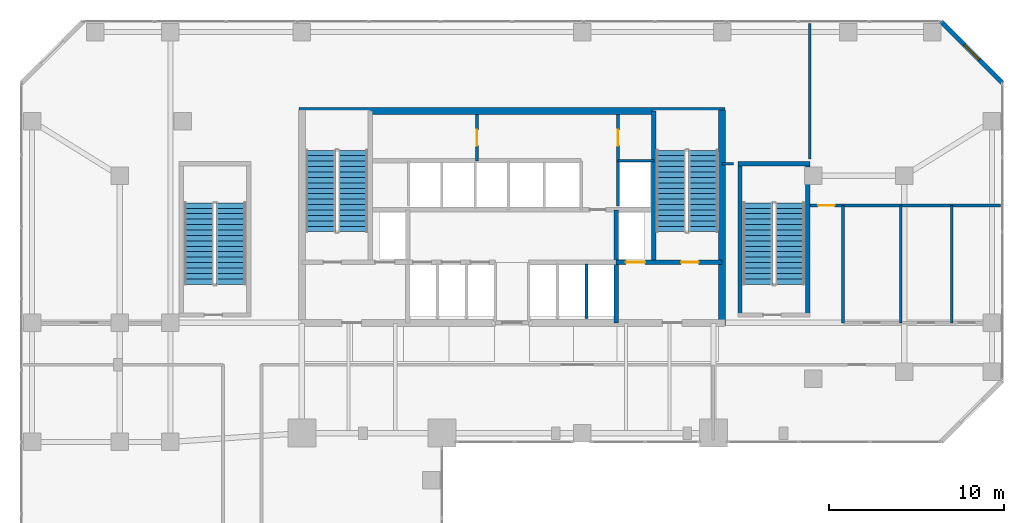
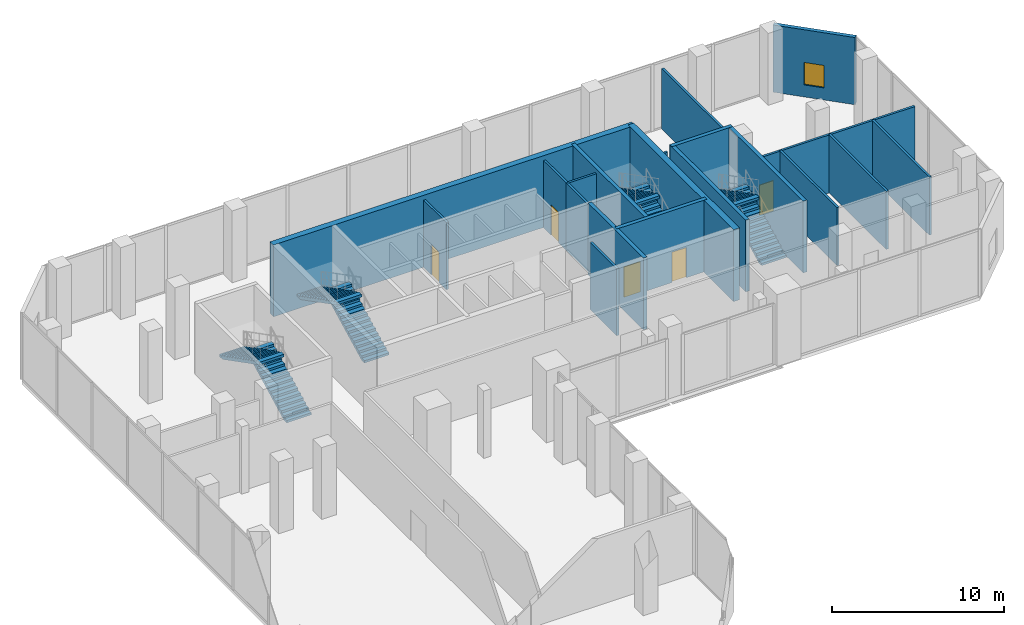
# One storey, part 22 of 24: 20 walls, 8 stair flights, 5 doors, 1 window, 6 openings, 4 elements without a shape of their own.
"""IFC4 building model written with IfcOpenShell, lengths in metres."""

import ifcopenshell
import ifcopenshell.guid

model = None  # the IFC model being written
_history = None  # IfcOwnerHistory: only IFC2X3 demands one
_inside = {}  # id of a spatial element -> (the spatial element, [elements in it])
_under = {}  # id of a project, library or spatial element -> (it, [spatial elements below it])
_declared = {}  # id of a project -> (the project, [libraries it declares])
_typed = {}  # id of a type object -> (the type object, [elements of that type])
_made_of = {}  # id of a material, layer set ... -> (it, [elements and type objects made of it])


def new_model(schema):
    """Start an empty IFC model of exactly this schema.

    Asked for "IFC4X3", IfcOpenShell would pick the latest addendum, in which some entities
    have other attributes; the version numbers below select the first issue.
    IFC2X3 requires an IfcOwnerHistory on every rooted entity: one is made here for all.
    """
    global model, _history
    if schema == "IFC4X3":
        model = ifcopenshell.file(schema_version=(4, 3, 0, 0))
    else:
        model = ifcopenshell.file(schema=schema)
    _inside.clear()
    _under.clear()
    _declared.clear()
    _typed.clear()
    _made_of.clear()
    _history = None
    if model.schema == "IFC2X3":
        org = make("IfcOrganization", Name="unknown")
        user = make(
            "IfcPersonAndOrganization",
            ThePerson=make("IfcPerson", FamilyName="unknown"),
            TheOrganization=org,
        )
        app = make(
            "IfcApplication",
            ApplicationDeveloper=org,
            Version="unknown",
            ApplicationFullName="unknown",
            ApplicationIdentifier="unknown",
        )
        _history = make(
            "IfcOwnerHistory",
            OwningUser=user,
            OwningApplication=app,
            ChangeAction="ADDED",
            CreationDate=0,
        )
    return model


def make(cls, **values):
    """One entity of the class cls with the attributes given. An attribute that is None is left unset."""
    return model.create_entity(
        cls, **{name: value for name, value in values.items() if value is not None}
    )


def rooted(cls, **values):
    """An entity with a GlobalId (a new one), such as an element, a storey or a relation."""
    return make(cls, GlobalId=ifcopenshell.guid.new(), OwnerHistory=_history, **values)


def si_unit(unit_type, name, prefix=None):
    """IfcSIUnit, for example si_unit("LENGTHUNIT", "METRE", prefix="MILLI")."""
    return make("IfcSIUnit", UnitType=unit_type, Prefix=prefix, Name=name)


def assignment(units):
    """IfcUnitAssignment: the units of a project."""
    return None if units is None else make("IfcUnitAssignment", Units=units)


def point(xyz):
    """IfcCartesianPoint."""
    return None if xyz is None else make("IfcCartesianPoint", Coordinates=xyz)


def direction(xyz):
    """IfcDirection."""
    return None if xyz is None else make("IfcDirection", DirectionRatios=xyz)


def frame(location, z_axis=None, x_axis=None):
    """IfcAxis2Placement3D, a coordinate frame: its origin and axes. An axis left out is left unset."""
    return make(
        "IfcAxis2Placement3D",
        Location=point(location),
        Axis=direction(z_axis),
        RefDirection=direction(x_axis),
    )


def frame_2d(location, x_axis=None):
    """IfcAxis2Placement2D, a coordinate frame in the plane: its origin and x axis."""
    return make(
        "IfcAxis2Placement2D", Location=point(location), RefDirection=direction(x_axis)
    )


def origin():
    """The frame at (0, 0, 0) with its axes left unset."""
    return frame((0.0, 0.0, 0.0))


def place(relative_to, where):
    """IfcLocalPlacement: puts the frame where relative to a parent placement (None: the world)."""
    return make(
        "IfcLocalPlacement", PlacementRelTo=relative_to, RelativePlacement=where
    )


def context(
    kind, dimensions, precision=None, world=None, true_north=None, identifier=None
):
    """IfcGeometricRepresentationContext, for example the 3D "Model" context."""
    return make(
        "IfcGeometricRepresentationContext",
        ContextIdentifier=identifier,
        ContextType=kind,
        CoordinateSpaceDimension=dimensions,
        Precision=precision,
        WorldCoordinateSystem=world,
        TrueNorth=true_north,
    )


def subcontext(parent, identifier, kind, view, scale=None):
    """IfcGeometricRepresentationSubContext, for example "Body" below "Model"."""
    return make(
        "IfcGeometricRepresentationSubContext",
        ContextIdentifier=identifier,
        ContextType=kind,
        ParentContext=parent,
        TargetScale=scale,
        TargetView=view,
    )


def project(units=None, contexts=None):
    """IfcProject with its units and contexts."""
    return rooted(
        "IfcProject",
        Name="project",
        RepresentationContexts=contexts,
        UnitsInContext=assignment(units),
    )


def spatial(cls, under=None, at=None, **own):
    """A site, building, storey or space (cls), placed at a placement, below another one or the project."""
    s = rooted(cls, ObjectPlacement=at, **own)
    if under is not None:
        _under.setdefault(under.id(), (under, []))[1].append(s)
    return s


def polyline(points):
    """IfcPolyline through the points."""
    return make("IfcPolyline", Points=[point(p) for p in points])


def profile(cls, at=None, kind="AREA", **sizes):
    """A parametric profile (cls). Its sizes go by their IFC names, for example OverallWidth=200.0."""
    return make(cls, ProfileType=kind, Position=at, **sizes)


def rectangle(**sizes):
    """IfcRectangleProfileDef."""
    return profile("IfcRectangleProfileDef", **sizes)


def outline(outer, holes=None, kind="AREA"):
    """IfcArbitraryClosedProfileDef: a profile drawn as a closed curve; with holes, ...WithVoids."""
    if holes is None:
        return make("IfcArbitraryClosedProfileDef", ProfileType=kind, OuterCurve=outer)
    return make(
        "IfcArbitraryProfileDefWithVoids",
        ProfileType=kind,
        OuterCurve=outer,
        InnerCurves=holes,
    )


def extrude(swept, where, along, depth):
    """IfcExtrudedAreaSolid: the profile swept, set in the frame where, extruded along a direction by depth."""
    return make(
        "IfcExtrudedAreaSolid",
        SweptArea=swept,
        Position=where,
        ExtrudedDirection=direction(along),
        Depth=depth,
    )


def shape(context_of_items, identifier, shape_type, items):
    """IfcShapeRepresentation: the items that make up one representation, for example the "Body"."""
    return make(
        "IfcShapeRepresentation",
        ContextOfItems=context_of_items,
        RepresentationIdentifier=identifier,
        RepresentationType=shape_type,
        Items=items,
    )


def material(Name=None, Category=None):
    """IfcMaterial."""
    return make("IfcMaterial", Name=Name, Category=Category)


def layer(
    of_material, thickness, ventilated=None, Name=None, Category=None, Priority=None
):
    """IfcMaterialLayer: one layer of a wall or slab, of a material (None: an air gap)."""
    return make(
        "IfcMaterialLayer",
        Material=of_material,
        LayerThickness=thickness,
        IsVentilated=ventilated,
        Name=Name,
        Category=Category,
        Priority=Priority,
    )


def layer_set(layers, Name=None):
    """IfcMaterialLayerSet."""
    return make("IfcMaterialLayerSet", MaterialLayers=layers, LayerSetName=Name)


def made_of(thing, what):
    """Note that an element or type object is made of a material, layer set ...; save() writes the relation."""
    if what is not None:
        _made_of.setdefault(what.id(), (what, []))[1].append(thing)
    return thing


def type_object(cls, material=None, **own):
    """A type object (cls), such as IfcWallType, which elements share."""
    return made_of(rooted(cls, **own), material)


def element(
    cls,
    number,
    at=None,
    inside=None,
    cuts=None,
    type_object=None,
    material=None,
    context=None,
    identifier="Body",
    shape_type=None,
    held_by="IfcProductDefinitionShape",
    body=None,
    shapes=None,
    **own,
):
    """One element of the class cls, such as IfcWall. Its Tag is "e" and its number.

    at: its placement. inside: the storey or other place that contains it. cuts: it is an
    opening in that element (IfcRelVoidsElement). A single representation is given by context,
    identifier, shape_type and body (its items); several are given by shapes. held_by: the class
    of the entity that holds the representations. save() writes the other relations.
    """
    e = rooted(cls, Tag="e%d" % number, ObjectPlacement=at, **own)
    if body is not None:
        shapes = [shape(context, identifier, shape_type, body)]
    if shapes is not None:
        e.Representation = make(held_by, Representations=shapes)
    if inside is not None:
        _inside.setdefault(inside.id(), (inside, []))[1].append(e)
    if cuts is not None:
        rooted(
            "IfcRelVoidsElement", RelatingBuildingElement=cuts, RelatedOpeningElement=e
        )
    if type_object is not None:
        _typed.setdefault(type_object.id(), (type_object, []))[1].append(e)
    return made_of(e, material)


def fill(opening, filler):
    """IfcRelFillsElement: the door or window that sits in an opening."""
    return rooted(
        "IfcRelFillsElement",
        RelatingOpeningElement=opening,
        RelatedBuildingElement=filler,
    )


def aggregate(whole, parts):
    """IfcRelAggregates: a whole, such as a stair, and the parts it consists of."""
    return rooted("IfcRelAggregates", RelatingObject=whole, RelatedObjects=parts)


def save(model, path):
    """Write the relations noted so far, then the file.

    IfcRelAggregates (storeys below a building ...), IfcRelContainedInSpatialStructure (elements
    in a storey), IfcRelDefinesByType, IfcRelAssociatesMaterial and IfcRelDeclares: one each for
    every whole, place, type object, material and project.
    """
    for whole, parts in _under.values():
        aggregate(whole, parts)
    for where, things in _inside.values():
        rooted(
            "IfcRelContainedInSpatialStructure",
            RelatedElements=things,
            RelatingStructure=where,
        )
    for kind, things in _typed.values():
        rooted("IfcRelDefinesByType", RelatedObjects=things, RelatingType=kind)
    for what, things in _made_of.values():
        rooted("IfcRelAssociatesMaterial", RelatedObjects=things, RelatingMaterial=what)
    for by, libraries in _declared.values():
        rooted("IfcRelDeclares", RelatingContext=by, RelatedDefinitions=libraries)
    model.write(path)


model = new_model("IFC4")

# Units and contexts
model_context = context("Model", 3, precision=1e-05, world=origin(), true_north=direction((0.0, 1.0)))
body_context = subcontext(model_context, "Body", "Model", "MODEL_VIEW")
ifc_project = project(units=[si_unit("LENGTHUNIT", "METRE"), si_unit("AREAUNIT", "SQUARE_METRE"), si_unit("VOLUMEUNIT", "CUBIC_METRE"), si_unit("PLANEANGLEUNIT", "RADIAN"), si_unit("MASSUNIT", "GRAM", prefix="KILO")], contexts=[model_context])

# Site, building, storey
site_placement = place(None, origin())
site = spatial("IfcSite", under=ifc_project, at=site_placement, CompositionType="ELEMENT")
building_placement = place(site_placement, origin())
building = spatial("IfcBuilding", under=site, at=building_placement, Name="Catumbela Crestline Tower", CompositionType="ELEMENT")
storey_placement = place(building_placement, frame((0.0, 0.0, 6.0)))
storey = spatial("IfcBuildingStorey", under=building, at=storey_placement, Name="L01", CompositionType="ELEMENT", Elevation=6.0)

# Walls
ifc_material_1 = material(Name="Concrete C50/60", Category="concrete")
ifc_layer_1 = layer(ifc_material_1, 0.25, Name="Concrete C50/60")
ifc_layer_set_1 = layer_set([ifc_layer_1], Name="Concrete C50/60")
wall_type_1 = type_object("IfcWallType", Name="CW-250D", PredefinedType="SHEAR", material=ifc_layer_set_1)
wall_1_placement = place(storey_placement, frame((36.1, 34.25, 0.0), z_axis=(0.0, 0.0, 1.0), x_axis=(0.0, 1.0, 0.0)))
element("IfcWall", 1, at=wall_1_placement, inside=storey, type_object=wall_type_1, Name="L01 Structural Core Shear Wall EWEB", PredefinedType="SHEAR", context=body_context, shape_type="SweptSolid", body=[
    extrude(rectangle(XDim=8.65, YDim=0.25, at=frame_2d((4.325, 0.0))), origin(), (0.0, 0.0, 1.0), 5.1),
])
wall_2_placement = place(storey_placement, frame((33.95, 30.8, 0.0), z_axis=(0.0, 0.0, 1.0), x_axis=(0.0, 1.0, 0.0)))
element("IfcWall", 2, at=wall_2_placement, inside=storey, type_object=wall_type_1, Name="L01 Structural Core Shear Wall FFE", PredefinedType="SHEAR", context=body_context, shape_type="SweptSolid", body=[
    extrude(rectangle(XDim=6.45, YDim=0.25, at=frame_2d((3.225, 0.0))), origin(), (0.0, 0.0, 1.0), 5.1),
])

# Wall, openings, doors
wall_3_placement = place(storey_placement, frame((33.95, 34.25, 0.0), z_axis=(0.0, 0.0, 1.0), x_axis=(1.0, 0.0, 0.0)))
wall_3 = element("IfcWall", 3, at=wall_3_placement, inside=storey, type_object=wall_type_1, Name="L01 Structural Core Shear Wall ST2S", PredefinedType="SHEAR", context=body_context, shape_type="SweptSolid", body=[
    extrude(rectangle(XDim=6.05, YDim=0.25, at=frame_2d((3.025, 0.0))), origin(), (0.0, 0.0, 1.0), 5.1),
])
opening_1_placement = place(wall_3_placement, frame((3.7, 0.0, 0.0)))
opening_1 = element("IfcOpeningElement", 4, at=opening_1_placement, cuts=wall_3, Name="Opening DF9-100", PredefinedType="OPENING", context=body_context, shape_type="SweptSolid", body=[
    extrude(rectangle(XDim=1.0, YDim=2.15, at=frame_2d((0.5, 1.075))), frame((0.0, 0.135, 0.0), z_axis=(0.0, -1.0, 0.0), x_axis=(1.0, 0.0, 0.0)), (0.0, 0.0, 1.0), 0.27),
])
opening_2_placement = place(wall_3_placement, frame((0.55, 0.0, 0.0)))
opening_2 = element("IfcOpeningElement", 5, at=opening_2_placement, cuts=wall_3, Name="Opening LD-110", PredefinedType="OPENING", context=body_context, shape_type="SweptSolid", body=[
    extrude(rectangle(XDim=1.1, YDim=2.15, at=frame_2d((0.55, 1.075))), frame((0.0, 0.135, 0.0), z_axis=(0.0, -1.0, 0.0), x_axis=(1.0, 0.0, 0.0)), (0.0, 0.0, 1.0), 0.27),
])
ifc_material_2 = material(Name="Stainless steel EN 1.4401", Category="steel")
door_type_1 = type_object("IfcDoorType", Name="DF9-100", OperationType="NOTDEFINED", PredefinedType="DOOR", material=ifc_material_2)
door_1_placement = place(opening_1_placement, origin())
door_1 = element("IfcDoor", 6, at=door_1_placement, inside=storey, type_object=door_type_1, Name="L01 Interior Door DR-L01-ST02", OperationType="SINGLE_SWING_RIGHT", OverallHeight=2.15, OverallWidth=1.0, PredefinedType="DOOR", context=body_context, shape_type="SweptSolid", body=[
    extrude(rectangle(XDim=1.0, YDim=2.15, at=frame_2d((0.5, 1.075))), frame((0.0, 0.025, 0.0), z_axis=(0.0, -1.0, 0.0), x_axis=(1.0, 0.0, 0.0)), (0.0, 0.0, 1.0), 0.05),
])
fill(opening_1, door_1)
door_type_2 = type_object("IfcDoorType", Name="LD-110", OperationType="NOTDEFINED", PredefinedType="DOOR", material=ifc_material_2)
door_2_placement = place(opening_2_placement, origin())
door_2 = element("IfcDoor", 7, at=door_2_placement, inside=storey, type_object=door_type_2, Name="L01 Lift Landing Sliding Door FL-02", OperationType="DOUBLE_DOOR_SLIDING", OverallHeight=2.15, OverallWidth=1.1, PredefinedType="DOOR", context=body_context, shape_type="SweptSolid", body=[
    extrude(rectangle(XDim=1.1, YDim=2.15, at=frame_2d((0.55, 1.075))), frame((0.0, 0.025, 0.0), z_axis=(0.0, -1.0, 0.0), x_axis=(1.0, 0.0, 0.0)), (0.0, 0.0, 1.0), 0.05),
])
fill(opening_2, door_2)

# Walls
for number, where, z_axis, x_axis, name in (
    (8, (41.02, 31.15, 0.0), (0.0, 0.0, 1.0), (0.0, 1.0, 0.0), "L01 Structural Core Shear Wall ST4W"),
    (9, (44.88, 31.15, 0.0), (0.0, 0.0, 1.0), (0.0, 1.0, 0.0), "L01 Structural Core Shear Wall ST4E"),
):
    element("IfcWall", number, at=place(storey_placement, frame(where, z_axis=z_axis, x_axis=x_axis)), inside=storey, type_object=wall_type_1, Name=name, PredefinedType="SHEAR", context=body_context, shape_type="SweptSolid", body=[
        extrude(rectangle(XDim=8.8, YDim=0.25, at=frame_2d((4.4, 0.0))), origin(), (0.0, 0.0, 1.0), 5.1),
    ])
wall_4_placement = place(storey_placement, frame((40.9, 39.88, 0.0), z_axis=(0.0, 0.0, 1.0), x_axis=(1.0, 0.0, 0.0)))
element("IfcWall", 10, at=wall_4_placement, inside=storey, type_object=wall_type_1, Name="L01 Structural Core Shear Wall ST4N", PredefinedType="SHEAR", context=body_context, shape_type="SweptSolid", body=[
    extrude(rectangle(XDim=4.1, YDim=0.25, at=frame_2d((2.05, 0.0))), origin(), (0.0, 0.0, 1.0), 5.1),
])
ifc_material_3 = material(Name="Concrete C60/75", Category="concrete")
ifc_layer_2 = layer(ifc_material_3, 0.4, Name="Concrete C60/75")
ifc_layer_set_2 = layer_set([ifc_layer_2], Name="Concrete C60/75")
wall_type_2 = type_object("IfcWallType", Name="CW-400A", PredefinedType="SHEAR", material=ifc_layer_set_2)
wall_5_placement = place(storey_placement, frame((40.0, 30.65, 0.0), z_axis=(0.0, 0.0, 1.0), x_axis=(0.0, 1.0, 0.0)))
element("IfcWall", 11, at=wall_5_placement, inside=storey, type_object=wall_type_2, Name="L01 Structural Core Shear Wall E", PredefinedType="SHEAR", context=body_context, shape_type="SweptSolid", body=[
    extrude(rectangle(XDim=12.3, YDim=0.4, at=frame_2d((6.15, 0.0))), origin(), (0.0, 0.0, 1.0), 5.1),
])
wall_6_placement = place(storey_placement, frame((15.85, 42.9, 0.0), z_axis=(0.0, 0.0, 1.0), x_axis=(1.0, 0.0, 0.0)))
element("IfcWall", 12, at=wall_6_placement, inside=storey, type_object=wall_type_2, Name="L01 Structural Core Shear Wall N", PredefinedType="SHEAR", context=body_context, shape_type="SweptSolid", body=[
    extrude(rectangle(XDim=24.3, YDim=0.4, at=frame_2d((12.15, 0.0))), origin(), (0.0, 0.0, 1.0), 5.1),
])

# Wall, opening, window
ifc_material_4 = material(Name="Angolan grey-ochre granite", Category="masonry")
ifc_layer_3 = layer(ifc_material_4, 0.25, Name="Angolan grey-ochre granite")
ifc_layer_set_3 = layer_set([ifc_layer_3], Name="Angolan grey-ochre granite")
wall_type_3 = type_object("IfcWallType", Name="WE-250", PredefinedType="STANDARD", material=ifc_layer_set_3)
wall_7_placement = place(storey_placement, frame((56.0, 44.5, 0.0), z_axis=(0.0, 0.0, 1.0), x_axis=(-0.707106781187, 0.707106781187, 0.0)))
wall_7 = element("IfcWall", 13, at=wall_7_placement, inside=storey, type_object=wall_type_3, Name="L01 Granite Punched Window Wall 6-1", PredefinedType="STANDARD", context=body_context, shape_type="SweptSolid", body=[
    extrude(rectangle(XDim=4.9497, YDim=0.25, at=frame_2d((2.4748, 0.0))), origin(), (0.0, 0.0, 1.0), 4.77),
])
opening_3_placement = place(wall_7_placement, frame((1.8748, 0.0, 0.85)))
opening_3 = element("IfcOpeningElement", 14, at=opening_3_placement, cuts=wall_7, Name="Opening WN-02", PredefinedType="OPENING", context=body_context, shape_type="SweptSolid", body=[
    extrude(rectangle(XDim=1.2, YDim=1.6, at=frame_2d((0.6, 0.8))), frame((0.0, 0.135, 0.0), z_axis=(0.0, -1.0, 0.0), x_axis=(1.0, 0.0, 0.0)), (0.0, 0.0, 1.0), 0.27),
])
ifc_material_5 = material(Name="Low-E laminated solar-control double glazing", Category="glass")
window_type = type_object("IfcWindowType", Name="WO-1200", PartitioningType="SINGLE_PANEL", PredefinedType="WINDOW", material=ifc_material_5)
window_placement = place(opening_3_placement, origin())
window = element("IfcWindow", 15, at=window_placement, inside=storey, type_object=window_type, Name="L01 Facade Vision Window 28", OverallHeight=1.6, OverallWidth=1.2, PartitioningType="SINGLE_PANEL", PredefinedType="WINDOW", context=body_context, shape_type="SweptSolid", body=[
    extrude(rectangle(XDim=1.2, YDim=1.6, at=frame_2d((0.6, 0.8))), frame((0.0, 0.03, 0.0), z_axis=(0.0, -1.0, 0.0), x_axis=(1.0, 0.0, 0.0)), (0.0, 0.0, 1.0), 0.06),
])
fill(opening_3, window)

# Wall
ifc_material_6 = material(Name="Acoustic gypsum and mineral-wool partition")
ifc_layer_4 = layer(ifc_material_6, 0.15, Name="Acoustic gypsum and mineral-wool partition")
ifc_layer_set_4 = layer_set([ifc_layer_4], Name="Acoustic gypsum and mineral-wool partition")
wall_type_4 = type_object("IfcWallType", Name="WP-150", PredefinedType="PARTITIONING", material=ifc_layer_set_4)
wall_8_placement = place(storey_placement, frame((34.05, 40.05, 0.0), z_axis=(0.0, 0.0, 1.0), x_axis=(1.0, 0.0, 0.0)))
element("IfcWall", 16, at=wall_8_placement, inside=storey, type_object=wall_type_4, Name="L01 Interior Partition PW-L01-CR-ES", PredefinedType="PARTITIONING", context=body_context, shape_type="SweptSolid", body=[
    extrude(rectangle(XDim=2.05, YDim=0.15, at=frame_2d((1.025, 0.0))), origin(), (0.0, 0.0, 1.0), 4.77),
])

# Wall, opening, door
wall_9_placement = place(storey_placement, frame((34.05, 40.05, 0.0), z_axis=(0.0, 0.0, 1.0), x_axis=(0.0, 1.0, 0.0)))
wall_9 = element("IfcWall", 17, at=wall_9_placement, inside=storey, type_object=wall_type_4, Name="L01 Interior Partition PW-L01-CR-EW", PredefinedType="PARTITIONING", context=body_context, shape_type="SweptSolid", body=[
    extrude(rectangle(XDim=2.63, YDim=0.15, at=frame_2d((1.315, 0.0))), origin(), (0.0, 0.0, 1.0), 4.77),
])
opening_4_placement = place(wall_9_placement, frame((0.865, 0.0, 0.0)))
opening_4 = element("IfcOpeningElement", 18, at=opening_4_placement, cuts=wall_9, Name="Opening DF9-090", PredefinedType="OPENING", context=body_context, shape_type="SweptSolid", body=[
    extrude(rectangle(XDim=0.9, YDim=2.15, at=frame_2d((0.45, 1.075))), frame((0.0, 0.085, 0.0), z_axis=(0.0, -1.0, 0.0), x_axis=(1.0, 0.0, 0.0)), (0.0, 0.0, 1.0), 0.17),
])
door_type_3 = type_object("IfcDoorType", Name="DF9-090", OperationType="NOTDEFINED", PredefinedType="DOOR", material=ifc_material_2)
door_3_placement = place(opening_4_placement, origin())
door_3 = element("IfcDoor", 19, at=door_3_placement, inside=storey, type_object=door_type_3, Name="L01 Interior Door DR-L01-CREAST", OperationType="SINGLE_SWING_RIGHT", OverallHeight=2.15, OverallWidth=0.9, PredefinedType="DOOR", context=body_context, shape_type="SweptSolid", body=[
    extrude(rectangle(XDim=0.9, YDim=2.15, at=frame_2d((0.45, 1.075))), frame((0.0, 0.025, 0.0), z_axis=(0.0, -1.0, 0.0), x_axis=(1.0, 0.0, 0.0)), (0.0, 0.0, 1.0), 0.05),
])
fill(opening_4, door_3)

wall_10_placement = place(storey_placement, frame((26.0, 40.05, 0.0), z_axis=(0.0, 0.0, 1.0), x_axis=(0.0, 1.0, 0.0)))
wall_10 = element("IfcWall", 20, at=wall_10_placement, inside=storey, type_object=wall_type_4, Name="L01 Interior Partition PW-L01-CR-WW", PredefinedType="PARTITIONING", context=body_context, shape_type="SweptSolid", body=[
    extrude(rectangle(XDim=2.63, YDim=0.15, at=frame_2d((1.315, 0.0))), origin(), (0.0, 0.0, 1.0), 4.77),
])
opening_5_placement = place(wall_10_placement, frame((0.865, 0.0, 0.0)))
opening_5 = element("IfcOpeningElement", 21, at=opening_5_placement, cuts=wall_10, Name="Opening DF9-090", PredefinedType="OPENING", context=body_context, shape_type="SweptSolid", body=[
    extrude(rectangle(XDim=0.9, YDim=2.15, at=frame_2d((0.45, 1.075))), frame((0.0, 0.085, 0.0), z_axis=(0.0, -1.0, 0.0), x_axis=(1.0, 0.0, 0.0)), (0.0, 0.0, 1.0), 0.17),
])
door_4_placement = place(opening_5_placement, origin())
door_4 = element("IfcDoor", 22, at=door_4_placement, inside=storey, type_object=door_type_3, Name="L01 Interior Door DR-L01-CRWEST", OperationType="SINGLE_SWING_LEFT", OverallHeight=2.15, OverallWidth=0.9, PredefinedType="DOOR", context=body_context, shape_type="SweptSolid", body=[
    extrude(rectangle(XDim=0.9, YDim=2.15, at=frame_2d((0.45, 1.075))), frame((0.0, 0.025, 0.0), z_axis=(0.0, -1.0, 0.0), x_axis=(1.0, 0.0, 0.0)), (0.0, 0.0, 1.0), 0.05),
])
fill(opening_5, door_4)

# Walls
for number, where, z_axis, x_axis, name in (
    (23, (46.9, 30.8, 0.0), (0.0, 0.0, 1.0), (0.0, 1.0, 0.0), "L01 Interior Partition PW-L01-PSGE"),
    (24, (50.2, 30.8, 0.0), (0.0, 0.0, 1.0), (0.0, 1.0, 0.0), "L01 Interior Partition PW-L01-WCM1"),
    (25, (53.1, 30.8, 0.0), (0.0, 0.0, 1.0), (0.0, 1.0, 0.0), "L01 Interior Partition PW-L01-WCM2"),
):
    element("IfcWall", number, at=place(storey_placement, frame(where, z_axis=z_axis, x_axis=x_axis)), inside=storey, type_object=wall_type_4, Name=name, PredefinedType="PARTITIONING", context=body_context, shape_type="SweptSolid", body=[
        extrude(rectangle(XDim=6.7, YDim=0.15, at=frame_2d((3.35, 0.0))), origin(), (0.0, 0.0, 1.0), 4.12),
    ])

# Wall, opening, door
wall_11_placement = place(storey_placement, frame((45.0, 37.5, 0.0), z_axis=(0.0, 0.0, 1.0), x_axis=(1.0, 0.0, 0.0)))
wall_11 = element("IfcWall", 26, at=wall_11_placement, inside=storey, type_object=wall_type_4, Name="L01 Interior Partition PW-L01-WCN", PredefinedType="PARTITIONING", context=body_context, shape_type="SweptSolid", body=[
    extrude(rectangle(XDim=10.9, YDim=0.15, at=frame_2d((5.45, 0.0))), origin(), (0.0, 0.0, 1.0), 4.12),
])
opening_6_placement = place(wall_11_placement, frame((0.475, 0.0, 0.0)))
opening_6 = element("IfcOpeningElement", 27, at=opening_6_placement, cuts=wall_11, Name="Opening DF6-095", PredefinedType="OPENING", context=body_context, shape_type="SweptSolid", body=[
    extrude(rectangle(XDim=0.95, YDim=2.15, at=frame_2d((0.475, 1.075))), frame((0.0, 0.085, 0.0), z_axis=(0.0, -1.0, 0.0), x_axis=(1.0, 0.0, 0.0)), (0.0, 0.0, 1.0), 0.17),
])
ifc_material_7 = material(Name="Aluminium alloy AW-6060-T66", Category="aluminium")
door_type_4 = type_object("IfcDoorType", Name="DF6-095", OperationType="NOTDEFINED", PredefinedType="DOOR", material=ifc_material_7)
door_5_placement = place(opening_6_placement, origin())
door_5 = element("IfcDoor", 28, at=door_5_placement, inside=storey, type_object=door_type_4, Name="L01 Interior Door DR-L01-NEE", OperationType="SINGLE_SWING_RIGHT", OverallHeight=2.15, OverallWidth=0.95, PredefinedType="DOOR", context=body_context, shape_type="SweptSolid", body=[
    extrude(rectangle(XDim=0.95, YDim=2.15, at=frame_2d((0.475, 1.075))), frame((0.0, 0.025, 0.0), z_axis=(0.0, -1.0, 0.0), x_axis=(1.0, 0.0, 0.0)), (0.0, 0.0, 1.0), 0.05),
])
fill(opening_6, door_5)

# Walls
wall_12_placement = place(storey_placement, frame((45.0, 40.1634, 0.0), z_axis=(0.0, 0.0, 1.0), x_axis=(0.0, 1.0, 0.0)))
element("IfcWall", 29, at=wall_12_placement, inside=storey, type_object=wall_type_4, Name="L01 Interior Partition PW-L01-NESVW", PredefinedType="PARTITIONING", context=body_context, shape_type="SweptSolid", body=[
    extrude(rectangle(XDim=7.7366, YDim=0.15, at=frame_2d((3.8683, 0.0))), origin(), (0.0, 0.0, 1.0), 4.31),
])
wall_13_placement = place(storey_placement, frame((40.0, 39.88, 0.0), z_axis=(0.0, 0.0, 1.0), x_axis=(1.0, 0.0, 0.0)))
element("IfcWall", 30, at=wall_13_placement, inside=storey, type_object=wall_type_4, Name="L01 Interior Partition PW-L01-NECR", PredefinedType="PARTITIONING", context=body_context, shape_type="SweptSolid", body=[
    extrude(rectangle(XDim=0.655, YDim=0.15, at=frame_2d((0.3275, 0.0))), origin(), (0.0, 0.0, 1.0), 4.77),
])
ifc_layer_5 = layer(ifc_material_6, 0.15, Name="Acoustic gypsum and mineral-wool partition")
ifc_layer_set_5 = layer_set([ifc_layer_5], Name="Acoustic gypsum and mineral-wool partition")
wall_type_5 = type_object("IfcWallType", Name="WS-150", PredefinedType="PLUMBINGWALL", material=ifc_layer_set_5)
wall_14_placement = place(storey_placement, frame((32.25, 31.05, 0.0), z_axis=(0.0, 0.0, 1.0), x_axis=(0.0, 1.0, 0.0)))
element("IfcWall", 31, at=wall_14_placement, inside=storey, type_object=wall_type_5, Name="L01 Interior Partition PW-L01-SHM2", PredefinedType="PLUMBINGWALL", context=body_context, shape_type="SweptSolid", body=[
    extrude(rectangle(XDim=3.1, YDim=0.15, at=frame_2d((1.55, 0.0))), origin(), (0.0, 0.0, 1.0), 4.77),
])
wall_15_placement = place(storey_placement, frame((34.05, 37.4734, 0.0), z_axis=(0.0, 0.0, 1.0), x_axis=(0.0, 1.0, 0.0)))
element("IfcWall", 32, at=wall_15_placement, inside=storey, type_object=wall_type_5, Name="L01 Interior Partition PW-L01-RISW", PredefinedType="PLUMBINGWALL", context=body_context, shape_type="SweptSolid", body=[
    extrude(rectangle(XDim=2.5766, YDim=0.15, at=frame_2d((1.2883, 0.0))), origin(), (0.0, 0.0, 1.0), 4.77),
])

# Stair, stair flights
ifc_material_8 = material(Name="Concrete C45/55", Category="concrete")
stair_type = type_object("IfcStairType", Name="ST-DLG", PredefinedType="HALF_TURN_STAIR", material=ifc_material_8)
stair_1_placement = place(storey_placement, origin())
stair_1 = element("IfcStair", 33, at=stair_1_placement, inside=storey, type_object=stair_type, Name="L01 West Core Pressurised Exit Stair ST-01", PredefinedType="HALF_TURN_STAIR")
stair_flight_type = type_object("IfcStairFlightType", Name="SF-1594", PredefinedType="STRAIGHT", material=ifc_material_8)
stair_flight_1_placement = place(storey_placement, frame((18.92, 36.0, 0.0), z_axis=(0.0, 0.0, 1.0), x_axis=(0.0, 1.0, 0.0)))
stair_flight_1 = element("IfcStairFlight", 34, at=stair_flight_1_placement, type_object=stair_flight_type, Name="ST-01 flight 1", NumberOfRisers=16, NumberOfTreads=15, PredefinedType="STRAIGHT", RiserHeight=0.159375, TreadLength=0.31, context=body_context, shape_type="SweptSolid", body=[
    extrude(outline(polyline([(0.0, 0.0), (0.0, 0.1594), (0.31, 0.1594), (0.31, 0.3188), (0.62, 0.3188), (0.62, 0.4781), (0.93, 0.4781), (0.93, 0.6375), (1.24, 0.6375), (1.24, 0.7969), (1.55, 0.7969), (1.55, 0.9562), (1.86, 0.9562), (1.86, 1.1156), (2.17, 1.1156), (2.17, 1.275), (2.48, 1.275), (2.48, 1.4344), (2.79, 1.4344), (2.79, 1.5938), (3.1, 1.5938), (3.1, 1.7531), (3.41, 1.7531), (3.41, 1.9125), (3.72, 1.9125), (3.72, 2.0719), (4.03, 2.0719), (4.03, 2.2312), (4.34, 2.2312), (4.34, 2.3906), (4.65, 2.3906), (4.65, 2.55), (4.65, 2.2107), (0.3499, 0.0), (0.0, 0.0)])), frame((0.0, 0.83, 0.0), z_axis=(0.0, -1.0, 0.0), x_axis=(1.0, 0.0, 0.0)), (0.0, 0.0, 1.0), 1.66),
])
stair_flight_2_placement = place(storey_placement, frame((17.08, 40.65, 2.55), z_axis=(0.0, 0.0, 1.0), x_axis=(0.0, -1.0, 0.0)))
stair_flight_2 = element("IfcStairFlight", 35, at=stair_flight_2_placement, type_object=stair_flight_type, Name="ST-01 flight 2", NumberOfRisers=16, NumberOfTreads=15, PredefinedType="STRAIGHT", RiserHeight=0.159375, TreadLength=0.31, context=body_context, shape_type="SweptSolid", body=[
    extrude(outline(polyline([(0.0, 0.0), (0.0, 0.1594), (0.31, 0.1594), (0.31, 0.3188), (0.62, 0.3188), (0.62, 0.4781), (0.93, 0.4781), (0.93, 0.6375), (1.24, 0.6375), (1.24, 0.7969), (1.55, 0.7969), (1.55, 0.9562), (1.86, 0.9562), (1.86, 1.1156), (2.17, 1.1156), (2.17, 1.275), (2.48, 1.275), (2.48, 1.4344), (2.79, 1.4344), (2.79, 1.5938), (3.1, 1.5938), (3.1, 1.7531), (3.41, 1.7531), (3.41, 1.9125), (3.72, 1.9125), (3.72, 2.0719), (4.03, 2.0719), (4.03, 2.2312), (4.34, 2.2312), (4.34, 2.3906), (4.65, 2.3906), (4.65, 2.55), (4.65, 2.2107), (0.3499, 0.0), (0.0, 0.0)])), frame((0.0, 0.83, 0.0), z_axis=(0.0, -1.0, 0.0), x_axis=(1.0, 0.0, 0.0)), (0.0, 0.0, 1.0), 1.66),
])
aggregate(stair_1, [stair_flight_1, stair_flight_2])

stair_2_placement = place(storey_placement, origin())
stair_2 = element("IfcStair", 36, at=stair_2_placement, inside=storey, type_object=stair_type, Name="L01 East Core Pressurised Exit Stair ST-02", PredefinedType="HALF_TURN_STAIR")
stair_flight_3_placement = place(storey_placement, frame((38.92, 36.0, 0.0), z_axis=(0.0, 0.0, 1.0), x_axis=(0.0, 1.0, 0.0)))
stair_flight_3 = element("IfcStairFlight", 37, at=stair_flight_3_placement, type_object=stair_flight_type, Name="ST-02 flight 1", NumberOfRisers=16, NumberOfTreads=15, PredefinedType="STRAIGHT", RiserHeight=0.159375, TreadLength=0.31, context=body_context, shape_type="SweptSolid", body=[
    extrude(outline(polyline([(0.0, 0.0), (0.0, 0.1594), (0.31, 0.1594), (0.31, 0.3188), (0.62, 0.3188), (0.62, 0.4781), (0.93, 0.4781), (0.93, 0.6375), (1.24, 0.6375), (1.24, 0.7969), (1.55, 0.7969), (1.55, 0.9562), (1.86, 0.9562), (1.86, 1.1156), (2.17, 1.1156), (2.17, 1.275), (2.48, 1.275), (2.48, 1.4344), (2.79, 1.4344), (2.79, 1.5938), (3.1, 1.5938), (3.1, 1.7531), (3.41, 1.7531), (3.41, 1.9125), (3.72, 1.9125), (3.72, 2.0719), (4.03, 2.0719), (4.03, 2.2312), (4.34, 2.2312), (4.34, 2.3906), (4.65, 2.3906), (4.65, 2.55), (4.65, 2.2107), (0.3499, 0.0), (0.0, 0.0)])), frame((0.0, 0.83, 0.0), z_axis=(0.0, -1.0, 0.0), x_axis=(1.0, 0.0, 0.0)), (0.0, 0.0, 1.0), 1.66),
])
stair_flight_4_placement = place(storey_placement, frame((37.08, 40.65, 2.55), z_axis=(0.0, 0.0, 1.0), x_axis=(0.0, -1.0, 0.0)))
stair_flight_4 = element("IfcStairFlight", 38, at=stair_flight_4_placement, type_object=stair_flight_type, Name="ST-02 flight 2", NumberOfRisers=16, NumberOfTreads=15, PredefinedType="STRAIGHT", RiserHeight=0.159375, TreadLength=0.31, context=body_context, shape_type="SweptSolid", body=[
    extrude(outline(polyline([(0.0, 0.0), (0.0, 0.1594), (0.31, 0.1594), (0.31, 0.3188), (0.62, 0.3188), (0.62, 0.4781), (0.93, 0.4781), (0.93, 0.6375), (1.24, 0.6375), (1.24, 0.7969), (1.55, 0.7969), (1.55, 0.9562), (1.86, 0.9562), (1.86, 1.1156), (2.17, 1.1156), (2.17, 1.275), (2.48, 1.275), (2.48, 1.4344), (2.79, 1.4344), (2.79, 1.5938), (3.1, 1.5938), (3.1, 1.7531), (3.41, 1.7531), (3.41, 1.9125), (3.72, 1.9125), (3.72, 2.0719), (4.03, 2.0719), (4.03, 2.2312), (4.34, 2.2312), (4.34, 2.3906), (4.65, 2.3906), (4.65, 2.55), (4.65, 2.2107), (0.3499, 0.0), (0.0, 0.0)])), frame((0.0, 0.83, 0.0), z_axis=(0.0, -1.0, 0.0), x_axis=(1.0, 0.0, 0.0)), (0.0, 0.0, 1.0), 1.66),
])
aggregate(stair_2, [stair_flight_3, stair_flight_4])

stair_3_placement = place(storey_placement, origin())
stair_3 = element("IfcStair", 39, at=stair_3_placement, inside=storey, type_object=stair_type, Name="L01 South-West Podium Exit Stair ST-03", PredefinedType="HALF_TURN_STAIR")
stair_flight_5_placement = place(storey_placement, frame((11.97, 33.0, 0.0), z_axis=(0.0, 0.0, 1.0), x_axis=(0.0, 1.0, 0.0)))
stair_flight_5 = element("IfcStairFlight", 40, at=stair_flight_5_placement, type_object=stair_flight_type, Name="ST-03 flight 1", NumberOfRisers=16, NumberOfTreads=15, PredefinedType="STRAIGHT", RiserHeight=0.159375, TreadLength=0.31, context=body_context, shape_type="SweptSolid", body=[
    extrude(outline(polyline([(0.0, 0.0), (0.0, 0.1594), (0.31, 0.1594), (0.31, 0.3188), (0.62, 0.3188), (0.62, 0.4781), (0.93, 0.4781), (0.93, 0.6375), (1.24, 0.6375), (1.24, 0.7969), (1.55, 0.7969), (1.55, 0.9562), (1.86, 0.9562), (1.86, 1.1156), (2.17, 1.1156), (2.17, 1.275), (2.48, 1.275), (2.48, 1.4344), (2.79, 1.4344), (2.79, 1.5938), (3.1, 1.5938), (3.1, 1.7531), (3.41, 1.7531), (3.41, 1.9125), (3.72, 1.9125), (3.72, 2.0719), (4.03, 2.0719), (4.03, 2.2312), (4.34, 2.2312), (4.34, 2.3906), (4.65, 2.3906), (4.65, 2.55), (4.65, 2.2107), (0.3499, 0.0), (0.0, 0.0)])), frame((0.0, 0.83, 0.0), z_axis=(0.0, -1.0, 0.0), x_axis=(1.0, 0.0, 0.0)), (0.0, 0.0, 1.0), 1.66),
])
stair_flight_6_placement = place(storey_placement, frame((10.13, 37.65, 2.55), z_axis=(0.0, 0.0, 1.0), x_axis=(0.0, -1.0, 0.0)))
stair_flight_6 = element("IfcStairFlight", 41, at=stair_flight_6_placement, type_object=stair_flight_type, Name="ST-03 flight 2", NumberOfRisers=16, NumberOfTreads=15, PredefinedType="STRAIGHT", RiserHeight=0.159375, TreadLength=0.31, context=body_context, shape_type="SweptSolid", body=[
    extrude(outline(polyline([(0.0, 0.0), (0.0, 0.1594), (0.31, 0.1594), (0.31, 0.3188), (0.62, 0.3188), (0.62, 0.4781), (0.93, 0.4781), (0.93, 0.6375), (1.24, 0.6375), (1.24, 0.7969), (1.55, 0.7969), (1.55, 0.9562), (1.86, 0.9562), (1.86, 1.1156), (2.17, 1.1156), (2.17, 1.275), (2.48, 1.275), (2.48, 1.4344), (2.79, 1.4344), (2.79, 1.5938), (3.1, 1.5938), (3.1, 1.7531), (3.41, 1.7531), (3.41, 1.9125), (3.72, 1.9125), (3.72, 2.0719), (4.03, 2.0719), (4.03, 2.2312), (4.34, 2.2312), (4.34, 2.3906), (4.65, 2.3906), (4.65, 2.55), (4.65, 2.2107), (0.3499, 0.0), (0.0, 0.0)])), frame((0.0, 0.83, 0.0), z_axis=(0.0, -1.0, 0.0), x_axis=(1.0, 0.0, 0.0)), (0.0, 0.0, 1.0), 1.66),
])
aggregate(stair_3, [stair_flight_5, stair_flight_6])

stair_4_placement = place(storey_placement, origin())
stair_4 = element("IfcStair", 42, at=stair_4_placement, inside=storey, type_object=stair_type, Name="L01 East Galleria Podium Exit Stair ST-04", PredefinedType="HALF_TURN_STAIR")
stair_flight_7_placement = place(storey_placement, frame((43.87, 33.0, 0.0), z_axis=(0.0, 0.0, 1.0), x_axis=(0.0, 1.0, 0.0)))
stair_flight_7 = element("IfcStairFlight", 43, at=stair_flight_7_placement, type_object=stair_flight_type, Name="ST-04 flight 1", NumberOfRisers=16, NumberOfTreads=15, PredefinedType="STRAIGHT", RiserHeight=0.159375, TreadLength=0.31, context=body_context, shape_type="SweptSolid", body=[
    extrude(outline(polyline([(0.0, 0.0), (0.0, 0.1594), (0.31, 0.1594), (0.31, 0.3188), (0.62, 0.3188), (0.62, 0.4781), (0.93, 0.4781), (0.93, 0.6375), (1.24, 0.6375), (1.24, 0.7969), (1.55, 0.7969), (1.55, 0.9562), (1.86, 0.9562), (1.86, 1.1156), (2.17, 1.1156), (2.17, 1.275), (2.48, 1.275), (2.48, 1.4344), (2.79, 1.4344), (2.79, 1.5938), (3.1, 1.5938), (3.1, 1.7531), (3.41, 1.7531), (3.41, 1.9125), (3.72, 1.9125), (3.72, 2.0719), (4.03, 2.0719), (4.03, 2.2312), (4.34, 2.2312), (4.34, 2.3906), (4.65, 2.3906), (4.65, 2.55), (4.65, 2.2107), (0.3499, 0.0), (0.0, 0.0)])), frame((0.0, 0.83, 0.0), z_axis=(0.0, -1.0, 0.0), x_axis=(1.0, 0.0, 0.0)), (0.0, 0.0, 1.0), 1.66),
])
stair_flight_8_placement = place(storey_placement, frame((42.03, 37.65, 2.55), z_axis=(0.0, 0.0, 1.0), x_axis=(0.0, -1.0, 0.0)))
stair_flight_8 = element("IfcStairFlight", 44, at=stair_flight_8_placement, type_object=stair_flight_type, Name="ST-04 flight 2", NumberOfRisers=16, NumberOfTreads=15, PredefinedType="STRAIGHT", RiserHeight=0.159375, TreadLength=0.31, context=body_context, shape_type="SweptSolid", body=[
    extrude(outline(polyline([(0.0, 0.0), (0.0, 0.1594), (0.31, 0.1594), (0.31, 0.3188), (0.62, 0.3188), (0.62, 0.4781), (0.93, 0.4781), (0.93, 0.6375), (1.24, 0.6375), (1.24, 0.7969), (1.55, 0.7969), (1.55, 0.9562), (1.86, 0.9562), (1.86, 1.1156), (2.17, 1.1156), (2.17, 1.275), (2.48, 1.275), (2.48, 1.4344), (2.79, 1.4344), (2.79, 1.5938), (3.1, 1.5938), (3.1, 1.7531), (3.41, 1.7531), (3.41, 1.9125), (3.72, 1.9125), (3.72, 2.0719), (4.03, 2.0719), (4.03, 2.2312), (4.34, 2.2312), (4.34, 2.3906), (4.65, 2.3906), (4.65, 2.55), (4.65, 2.2107), (0.3499, 0.0), (0.0, 0.0)])), frame((0.0, 0.83, 0.0), z_axis=(0.0, -1.0, 0.0), x_axis=(1.0, 0.0, 0.0)), (0.0, 0.0, 1.0), 1.66),
])
aggregate(stair_4, [stair_flight_7, stair_flight_8])

save(model, "model.ifc")
